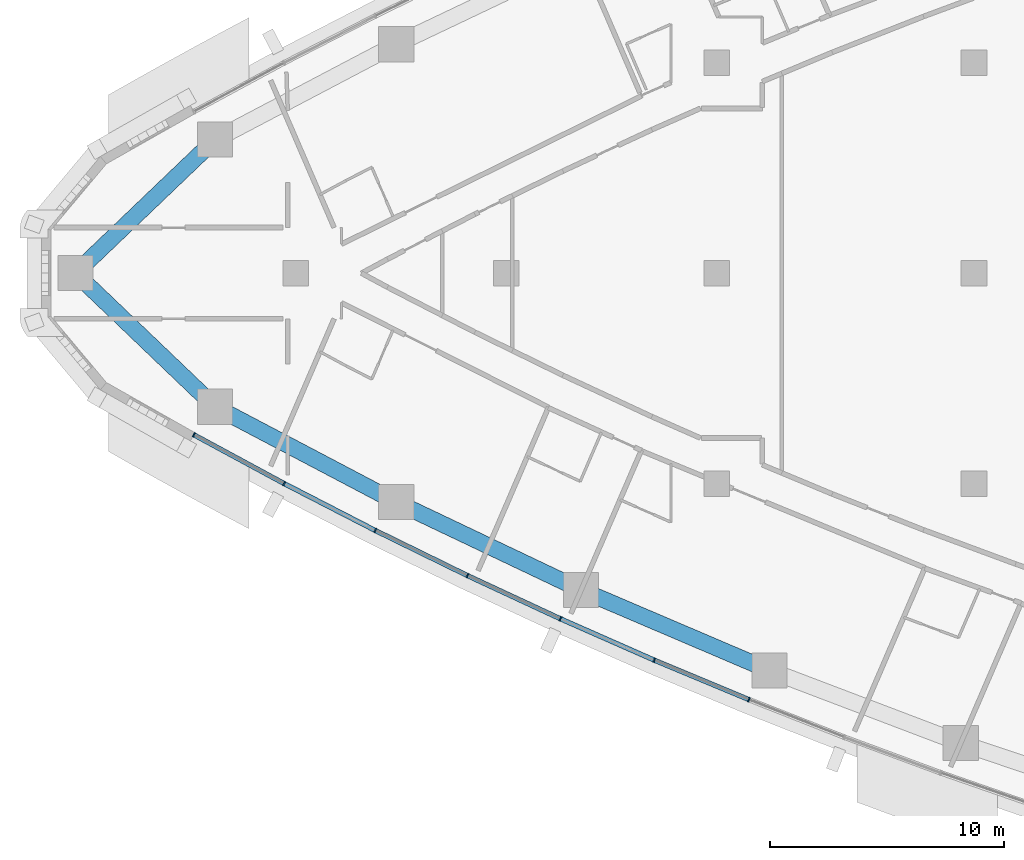
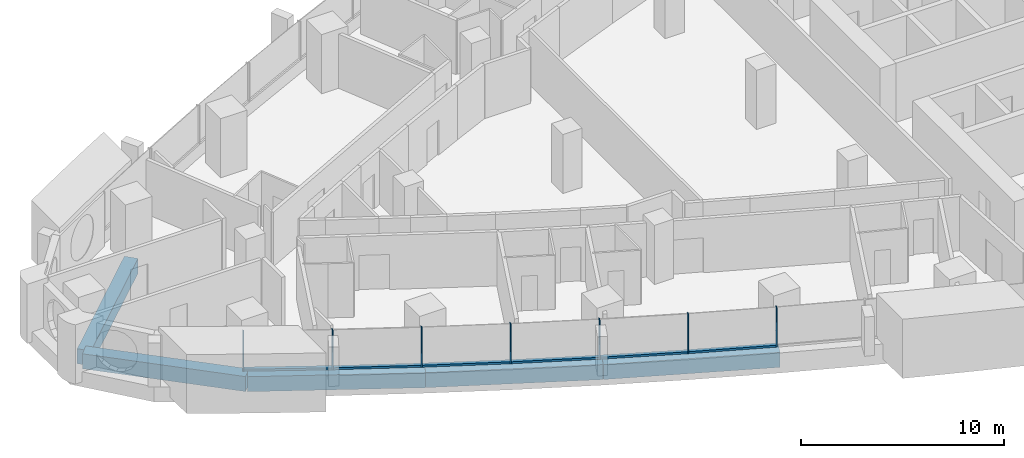
# One storey, part 2 of 17: 13 members, 5 beams, 3 elements without a shape of their own.
"""IFC4 building model written with IfcOpenShell, lengths in metres."""

from ifc_helpers import new_model, si_unit, direction, frame, origin, origin_2d, place, context, subcontext, project, spatial, rectangle, extrude, material, layer, layer_set, material_profile, profile_set, type_object, element, aggregate, save


model = new_model("IFC4")

# Units and contexts
model_context = context("Model", 3, precision=1e-05, world=origin(), true_north=direction((0.0, 1.0)))
body_context = subcontext(model_context, "Body", "Model", "MODEL_VIEW")
ifc_project = project(units=[si_unit("LENGTHUNIT", "METRE"), si_unit("AREAUNIT", "SQUARE_METRE"), si_unit("VOLUMEUNIT", "CUBIC_METRE"), si_unit("PLANEANGLEUNIT", "RADIAN"), si_unit("MASSUNIT", "GRAM", prefix="KILO")], contexts=[model_context])

# Site, building, storey
site_placement = place(None, origin())
site = spatial("IfcSite", under=ifc_project, at=site_placement, CompositionType="ELEMENT")
building_placement = place(site_placement, origin())
building = spatial("IfcBuilding", under=site, at=building_placement, Name="Ostrand Prow Hotel Tower", CompositionType="ELEMENT")
storey_placement = place(building_placement, frame((0.0, 0.0, 133.75)))
storey = spatial("IfcBuildingStorey", under=building, at=storey_placement, Name="L32", CompositionType="ELEMENT", Elevation=133.75)

# Beams
ifc_material_1 = material(Name="Concrete C70/85", Category="concrete")
ifc_material_profile_1 = material_profile(ifc_material_1, rectangle(XDim=0.699951171875, YDim=0.89990234375, at=origin_2d()), Name="RC 700x900")
ifc_profile_set_1 = profile_set([ifc_material_profile_1], Name="Concrete C70/85")
beam_type = type_object("IfcBeamType", Name="Edge beam 700x900 C70/85", PredefinedType="SPANDREL", material=ifc_profile_set_1)
beam_1_placement = place(storey_placement, frame((6.580078125, 0.0, -0.75), z_axis=(0.722689968521, -0.691172344209, 0.0), x_axis=(0.691172344209, 0.722689968521, 0.0)))
element("IfcBeam", 1, at=beam_1_placement, inside=storey, type_object=beam_type, Name="Edge beam P-S1", PredefinedType="SPANDREL", context=body_context, shape_type="SweptSolid", body=[
    extrude(rectangle(XDim=0.699951171875, YDim=0.89990234375, at=origin_2d()), origin(), (0.0, 0.0, 1.0), 8.26513671875),
])
for number, where, z_axis, x_axis, name in (
    (2, (12.55322265625, -5.712646484375, -0.75), (0.885016215308, -0.465560198731, 0.0), (0.465560198731, 0.885016215308, 0.0), "Edge beam S1-S2"),
    (3, (20.300048828125, -9.787841796875, -0.75), (0.903083113352, -0.429465819803, 0.0), (0.429465819803, 0.903083113352, 0.0), "Edge beam S2-S3"),
    (4, (28.205078125, -13.547119140625, -0.75), (0.919700966994, -0.392619575811, 0.0), (0.392619575811, 0.919700966994, 0.0), "Edge beam S3-S4"),
):
    element("IfcBeam", number, at=place(storey_placement, frame(where, z_axis=z_axis, x_axis=x_axis)), inside=storey, type_object=beam_type, Name=name, PredefinedType="SPANDREL", context=body_context, shape_type="SweptSolid", body=[
        extrude(rectangle(XDim=0.699951171875, YDim=0.89990234375, at=origin_2d()), origin(), (0.0, 0.0, 1.0), 8.75341796875),
    ])
beam_2_placement = place(storey_placement, frame((12.55322265625, 5.712646484375, -0.75), z_axis=(-0.722689968521, -0.691172344209, 0.0), x_axis=(0.691172344209, -0.722689968521, 0.0)))
element("IfcBeam", 5, at=beam_2_placement, inside=storey, type_object=beam_type, Name="Edge beam N6-P", PredefinedType="SPANDREL", context=body_context, shape_type="SweptSolid", body=[
    extrude(rectangle(XDim=0.699951171875, YDim=0.89990234375, at=origin_2d()), origin(), (0.0, 0.0, 1.0), 8.26513671875),
])

# Curtain wall, members
ifc_material_2 = material(Name="Insulated glass in bronze anodised frame", Category="glass")
ifc_layer = layer(ifc_material_2, 0.199951171875)
ifc_layer_set = layer_set([ifc_layer], Name="Insulated glass in bronze anodised frame")
curtain_wall_type = type_object("IfcCurtainWallType", Name="Strip curtain wall, fritted glass over bronze spandrel", PredefinedType="NOTDEFINED", material=ifc_layer_set)
curtain_wall_1_placement = place(storey_placement, origin())
curtain_wall_1 = element("IfcCurtainWall", 6, at=curtain_wall_1_placement, inside=storey, type_object=curtain_wall_type, Name="CW1 run CWS1", PredefinedType="NOTDEFINED")
ifc_material_3 = material(Name="Bronze anodised aluminium", Category="aluminium")
ifc_material_profile_2 = material_profile(ifc_material_3, rectangle(XDim=0.199951171875, YDim=0.06005859375, at=origin_2d()), Name="Mullion 60x200 bronze anodised aluminium")
ifc_profile_set_2 = profile_set([ifc_material_profile_2], Name="Bronze anodised aluminium")
member_type_1 = type_object("IfcMemberType", Name="Mullion 60x200 bronze anodised aluminium", PredefinedType="MULLION", material=ifc_profile_set_2)
member_1_placement = place(storey_placement, frame((11.64306640625, -6.909423828125, 0.89990234375), z_axis=(0.0, 0.0, 1.0), x_axis=(0.475393901316, 0.879773060847, 0.0)))
member_1 = element("IfcMember", 7, at=member_1_placement, type_object=member_type_1, Name="CW1 mullion 1", PredefinedType="MULLION", context=body_context, shape_type="SweptSolid", body=[
    extrude(rectangle(XDim=0.199951171875, YDim=0.06005859375, at=origin_2d()), origin(), (0.0, 0.0, 1.0), 2.35009765625),
])
member_2_placement = place(storey_placement, frame((15.501708984375, -8.99462890625, 0.89990234375), z_axis=(0.0, 0.0, 1.0), x_axis=(0.457619429434, 0.889148164146, 0.0)))
member_2 = element("IfcMember", 8, at=member_2_placement, type_object=member_type_1, Name="CW1 mullion 2", PredefinedType="MULLION", context=body_context, shape_type="SweptSolid", body=[
    extrude(rectangle(XDim=0.199951171875, YDim=0.06005859375, at=origin_2d()), origin(), (0.0, 0.0, 1.0), 2.35009765625),
])
member_3_placement = place(storey_placement, frame((19.401611328125, -11.001708984375, 0.89990234375), z_axis=(0.0, 0.0, 1.0), x_axis=(0.457619429434, 0.889148164146, 0.0)))
member_3 = element("IfcMember", 9, at=member_3_placement, type_object=member_type_1, Name="CW1 mullion 3", PredefinedType="MULLION", context=body_context, shape_type="SweptSolid", body=[
    extrude(rectangle(XDim=0.199951171875, YDim=0.06005859375, at=origin_2d()), origin(), (0.0, 0.0, 1.0), 2.35009765625),
])

curtain_wall_2_placement = place(storey_placement, origin())
curtain_wall_2 = element("IfcCurtainWall", 10, at=curtain_wall_2_placement, inside=storey, type_object=curtain_wall_type, Name="CW1 run CWS2", PredefinedType="NOTDEFINED")
member_4_placement = place(storey_placement, frame((23.341064453125, -12.93017578125, 0.89990234375), z_axis=(0.0, 0.0, 1.0), x_axis=(0.421521761673, 0.906818286337, 0.0)))
member_4 = element("IfcMember", 11, at=member_4_placement, type_object=member_type_1, Name="CW1 mullion 2", PredefinedType="MULLION", context=body_context, shape_type="SweptSolid", body=[
    extrude(rectangle(XDim=0.199951171875, YDim=0.06005859375, at=origin_2d()), origin(), (0.0, 0.0, 1.0), 2.35009765625),
])
member_5_placement = place(storey_placement, frame((27.318359375, -14.77880859375, 0.89990234375), z_axis=(0.0, 0.0, 1.0), x_axis=(0.421521761673, 0.906818286337, 0.0)))
member_5 = element("IfcMember", 12, at=member_5_placement, type_object=member_type_1, Name="CW1 mullion 3", PredefinedType="MULLION", context=body_context, shape_type="SweptSolid", body=[
    extrude(rectangle(XDim=0.199951171875, YDim=0.06005859375, at=origin_2d()), origin(), (0.0, 0.0, 1.0), 2.35009765625),
])

curtain_wall_3_placement = place(storey_placement, origin())
curtain_wall_3 = element("IfcCurtainWall", 13, at=curtain_wall_3_placement, inside=storey, type_object=curtain_wall_type, Name="CW1 run CWS3", PredefinedType="NOTDEFINED")
member_6_placement = place(storey_placement, frame((31.332275390625, -16.54736328125, 0.89990234375), z_axis=(0.0, 0.0, 1.0), x_axis=(0.384743220418, 0.92302364777, 0.0)))
member_6 = element("IfcMember", 14, at=member_6_placement, type_object=member_type_1, Name="CW1 mullion 2", PredefinedType="MULLION", context=body_context, shape_type="SweptSolid", body=[
    extrude(rectangle(XDim=0.199951171875, YDim=0.06005859375, at=origin_2d()), origin(), (0.0, 0.0, 1.0), 2.35009765625),
])
member_7_placement = place(storey_placement, frame((35.380615234375, -18.235107421875, 0.89990234375), z_axis=(0.0, 0.0, 1.0), x_axis=(0.384743220418, 0.92302364777, 0.0)))
member_7 = element("IfcMember", 15, at=member_7_placement, type_object=member_type_1, Name="CW1 mullion 3", PredefinedType="MULLION", context=body_context, shape_type="SweptSolid", body=[
    extrude(rectangle(XDim=0.199951171875, YDim=0.06005859375, at=origin_2d()), origin(), (0.0, 0.0, 1.0), 2.35009765625),
])

# Member
ifc_material_4 = material(Name="Bronze anodised aluminium", Category="aluminium")
ifc_material_profile_3 = material_profile(ifc_material_4, rectangle(XDim=0.199951171875, YDim=0.1201171875, at=origin_2d()), Name="Transom 120x200 bronze anodised aluminium")
ifc_profile_set_3 = profile_set([ifc_material_profile_3], Name="Bronze anodised aluminium")
member_type_2 = type_object("IfcMemberType", Name="Transom 120x200 bronze anodised aluminium", PredefinedType="USERDEFINED", material=ifc_profile_set_3)
member_8_placement = place(storey_placement, frame((11.66943359375, -6.923583984375, 0.9599609375), z_axis=(0.879765206929, -0.475408435639, 0.0), x_axis=(0.475408435639, 0.879765206929, 0.0)))
member_8 = element("IfcMember", 16, at=member_8_placement, type_object=member_type_2, Name="CW1 transom 1.1", ObjectType="TRANSOM", PredefinedType="USERDEFINED", context=body_context, shape_type="SweptSolid", body=[
    extrude(rectangle(XDim=0.199951171875, YDim=0.1201171875, at=origin_2d()), origin(), (0.0, 0.0, 1.0), 4.326171875),
])

member_9_placement = place(storey_placement, frame((15.528564453125, -9.00830078125, 0.9599609375), z_axis=(0.88914020052, -0.457634902318, 0.0), x_axis=(0.457634902318, 0.88914020052, 0.0)))
member_9 = element("IfcMember", 17, at=member_9_placement, type_object=member_type_2, Name="CW1 transom 2.1", ObjectType="TRANSOM", PredefinedType="USERDEFINED", context=body_context, shape_type="SweptSolid", body=[
    extrude(rectangle(XDim=0.199951171875, YDim=0.1201171875, at=origin_2d()), origin(), (0.0, 0.0, 1.0), 4.325927734375),
])

aggregate(curtain_wall_1, [member_1, member_2, member_3, member_8, member_9])

member_10_placement = place(storey_placement, frame((19.4287109375, -11.014892578125, 0.9599609375), z_axis=(0.89815413626, -0.439680733623, 0.0), x_axis=(0.439680733623, 0.89815413626, 0.0)))
member_10 = element("IfcMember", 18, at=member_10_placement, type_object=member_type_2, Name="CW1 transom 1.1", ObjectType="TRANSOM", PredefinedType="USERDEFINED", context=body_context, shape_type="SweptSolid", body=[
    extrude(rectangle(XDim=0.199951171875, YDim=0.1201171875, at=origin_2d()), origin(), (0.0, 0.0, 1.0), 4.326171875),
])

member_11_placement = place(storey_placement, frame((23.368408203125, -12.942626953125, 0.9599609375), z_axis=(0.906796377468, -0.421568890944, 0.0), x_axis=(0.421568890944, 0.906796377468, 0.0)))
member_11 = element("IfcMember", 19, at=member_11_placement, type_object=member_type_2, Name="CW1 transom 2.1", ObjectType="TRANSOM", PredefinedType="USERDEFINED", context=body_context, shape_type="SweptSolid", body=[
    extrude(rectangle(XDim=0.199951171875, YDim=0.1201171875, at=origin_2d()), origin(), (0.0, 0.0, 1.0), 4.326171875),
])

aggregate(curtain_wall_2, [member_4, member_5, member_10, member_11])

member_12_placement = place(storey_placement, frame((27.345947265625, -14.791015625, 0.9599609375), z_axis=(0.91509853977, -0.403230284715, 0.0), x_axis=(0.403230284715, 0.91509853977, 0.0)))
member_12 = element("IfcMember", 20, at=member_12_placement, type_object=member_type_2, Name="CW1 transom 1.1", ObjectType="TRANSOM", PredefinedType="USERDEFINED", context=body_context, shape_type="SweptSolid", body=[
    extrude(rectangle(XDim=0.199951171875, YDim=0.1201171875, at=origin_2d()), origin(), (0.0, 0.0, 1.0), 4.325927734375),
])

member_13_placement = place(storey_placement, frame((31.35986328125, -16.55908203125, 0.9599609375), z_axis=(0.923028493412, -0.384731595206, 0.0), x_axis=(0.384731595206, 0.923028493412, 0.0)))
member_13 = element("IfcMember", 21, at=member_13_placement, type_object=member_type_2, Name="CW1 transom 2.1", ObjectType="TRANSOM", PredefinedType="USERDEFINED", context=body_context, shape_type="SweptSolid", body=[
    extrude(rectangle(XDim=0.199951171875, YDim=0.1201171875, at=origin_2d()), origin(), (0.0, 0.0, 1.0), 4.325927734375),
])

aggregate(curtain_wall_3, [member_6, member_7, member_12, member_13])

save(model, "model.ifc")
